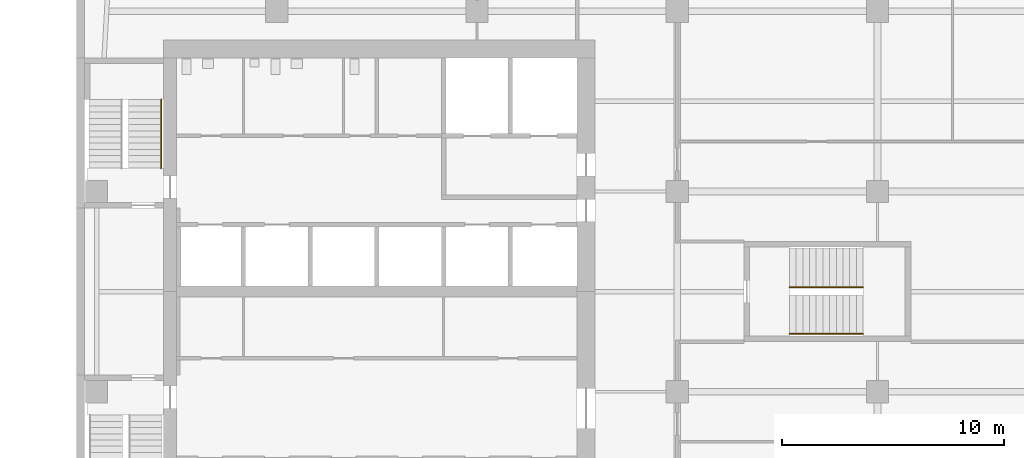
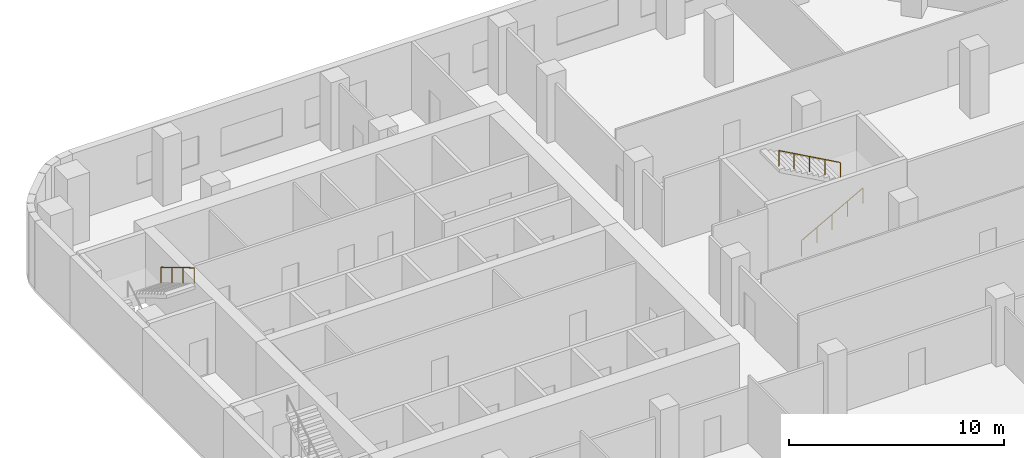
# One storey, part 13 of 14: 3 railings, 2 elements without a shape of their own.
"""IFC4 building model written with IfcOpenShell, lengths in metres."""

from ifc_helpers import new_model, si_unit, direction, frame, origin, origin_2d, place, context, subcontext, project, spatial, circle, extrude, material, type_object, element, aggregate, save


model = new_model("IFC4")

# Units and contexts
model_context = context("Model", 3, precision=1e-05, world=origin(), true_north=direction((0.0, 1.0)))
body_context = subcontext(model_context, "Body", "Model", "MODEL_VIEW")
ifc_project = project(units=[si_unit("LENGTHUNIT", "METRE"), si_unit("AREAUNIT", "SQUARE_METRE"), si_unit("VOLUMEUNIT", "CUBIC_METRE"), si_unit("PLANEANGLEUNIT", "RADIAN"), si_unit("MASSUNIT", "GRAM", prefix="KILO")], contexts=[model_context])

# Site, building, storey
site_placement = place(None, origin())
site = spatial("IfcSite", under=ifc_project, at=site_placement, CompositionType="ELEMENT")
building_placement = place(site_placement, origin())
building = spatial("IfcBuilding", under=site, at=building_placement, Name="Cinnabar Reach Civic Tower", CompositionType="ELEMENT")
storey_placement = place(building_placement, frame((0.0, 0.0, 124.0)))
storey = spatial("IfcBuildingStorey", under=building, at=storey_placement, Name="L29", CompositionType="ELEMENT", Elevation=124.0)

# Stair, railing
ifc_material_1 = material(Name="Concrete C40/50", Category="concrete")
stair_type = type_object("IfcStairType", Name="T1 Exit stair, half-turn", PredefinedType="HALF_TURN_STAIR", material=ifc_material_1)
stair_1_placement = place(storey_placement, origin())
stair_1 = element("IfcStair", 1, at=stair_1_placement, inside=storey, type_object=stair_type, Name="Stair T1-S2", PredefinedType="HALF_TURN_STAIR")
ifc_material_2 = material(Name="Stainless steel tube", Category="steel")
railing_type = type_object("IfcRailingType", Name="T1 Stair handrail, stainless tube 48", PredefinedType="HANDRAIL", material=ifc_material_2)
railing_1_placement = place(storey_placement, frame((3.8, 40.13, 2.1667)))
railing_1 = element("IfcRailing", 2, at=railing_1_placement, type_object=railing_type, Name="T1-S2 handrail 2", PredefinedType="HANDRAIL", context=body_context, shape_type="SweptSolid", body=[
    extrude(circle(Radius=0.024, at=origin_2d()), frame((0.0, 0.0, 0.876), z_axis=(0.0, -0.859296971757, 0.511476992962), x_axis=(1.0, 0.0, 0.0)), (0.0, 0.0, 1.0), 3.5843),
    extrude(circle(Radius=0.021, at=origin_2d()), origin(), (0.0, 0.0, 1.0), 0.852),
    extrude(circle(Radius=0.021, at=origin_2d()), frame((0.0, -1.0267, 0.6111)), (0.0, 0.0, 1.0), 0.852),
    extrude(circle(Radius=0.021, at=origin_2d()), frame((0.0, -2.0533, 1.2222)), (0.0, 0.0, 1.0), 0.852),
    extrude(circle(Radius=0.021, at=origin_2d()), frame((0.0, -3.08, 1.8333)), (0.0, 0.0, 1.0), 0.852),
])
aggregate(stair_1, [railing_1])

# Stair, railings
stair_2_placement = place(storey_placement, origin())
stair_2 = element("IfcStair", 3, at=stair_2_placement, inside=storey, type_object=stair_type, Name="Stair T1-S3", PredefinedType="HALF_TURN_STAIR")
railing_2_placement = place(storey_placement, frame((32.05, 29.6, 0.1667)))
railing_2 = element("IfcRailing", 4, at=railing_2_placement, type_object=railing_type, Name="T1-S3 handrail 1", PredefinedType="HANDRAIL", context=body_context, shape_type="SweptSolid", body=[
    extrude(circle(Radius=0.024, at=origin_2d()), frame((0.0, 0.0, 0.876), z_axis=(0.874161024642, 0.0, 0.485636183781), x_axis=(0.0, 1.0, 0.0)), (0.0, 0.0, 1.0), 3.775),
    extrude(circle(Radius=0.021, at=origin_2d()), origin(), (0.0, 0.0, 1.0), 0.852),
    extrude(circle(Radius=0.021, at=origin_2d()), frame((0.825, 0.0, 0.4583)), (0.0, 0.0, 1.0), 0.852),
    extrude(circle(Radius=0.021, at=origin_2d()), frame((1.65, 0.0, 0.9166)), (0.0, 0.0, 1.0), 0.852),
    extrude(circle(Radius=0.021, at=origin_2d()), frame((2.475, 0.0, 1.375)), (0.0, 0.0, 1.0), 0.852),
    extrude(circle(Radius=0.021, at=origin_2d()), frame((3.3, 0.0, 1.8333)), (0.0, 0.0, 1.0), 0.852),
])
railing_3_placement = place(storey_placement, frame((35.35, 31.7, 2.1667)))
railing_3 = element("IfcRailing", 5, at=railing_3_placement, type_object=railing_type, Name="T1-S3 handrail 2", PredefinedType="HANDRAIL", context=body_context, shape_type="SweptSolid", body=[
    extrude(circle(Radius=0.024, at=origin_2d()), frame((0.0, 0.0, 0.876), z_axis=(-0.874161024642, 0.0, 0.485636183781), x_axis=(0.0, -1.0, 0.0)), (0.0, 0.0, 1.0), 3.775),
    extrude(circle(Radius=0.021, at=origin_2d()), origin(), (0.0, 0.0, 1.0), 0.852),
    extrude(circle(Radius=0.021, at=origin_2d()), frame((-0.825, 0.0, 0.4583)), (0.0, 0.0, 1.0), 0.852),
    extrude(circle(Radius=0.021, at=origin_2d()), frame((-1.65, 0.0, 0.9166)), (0.0, 0.0, 1.0), 0.852),
    extrude(circle(Radius=0.021, at=origin_2d()), frame((-2.475, 0.0, 1.375)), (0.0, 0.0, 1.0), 0.852),
    extrude(circle(Radius=0.021, at=origin_2d()), frame((-3.3, 0.0, 1.8333)), (0.0, 0.0, 1.0), 0.852),
])
aggregate(stair_2, [railing_2, railing_3])

save(model, "model.ifc")
